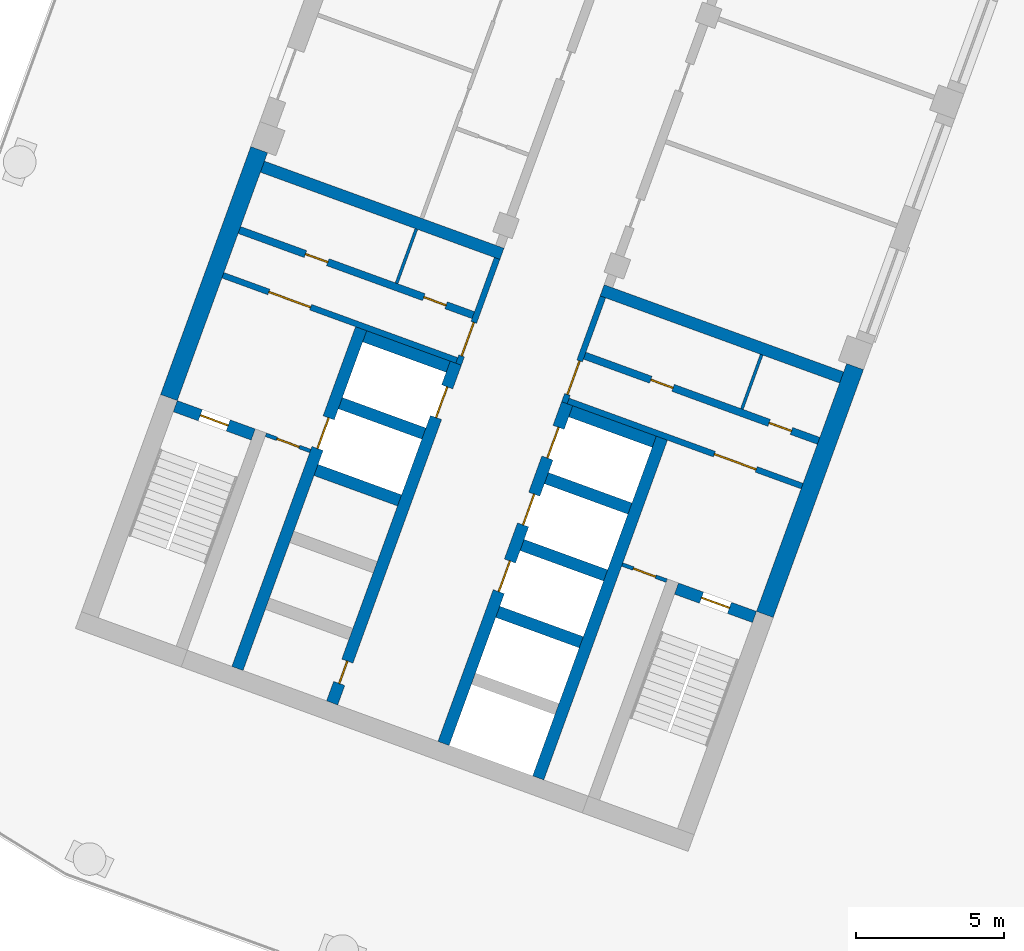
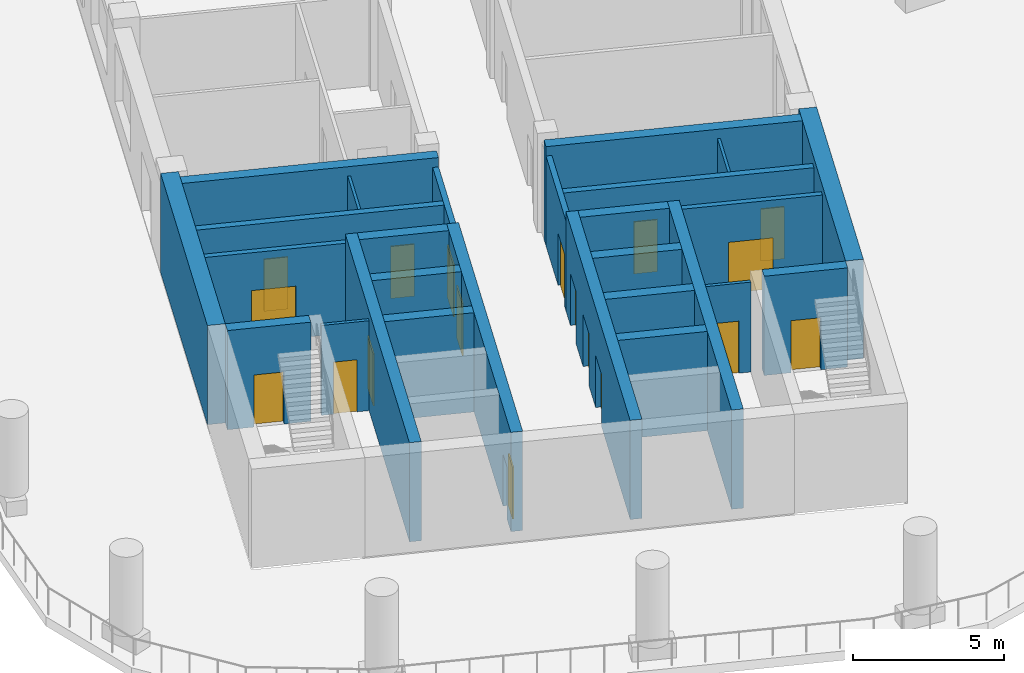
# One storey, part 3 of 18: 27 walls, 18 doors, 18 openings.
"""IFC4 building model written with IfcOpenShell, lengths in metres."""

from ifc_helpers import new_model, si_unit, direction, frame, frame_2d, origin, place, context, subcontext, project, spatial, rectangle, extrude, material, layer, layer_set, type_object, element, fill, save


model = new_model("IFC4")

# Units and contexts
model_context = context("Model", 3, precision=1e-05, world=origin(), true_north=direction((0.0, 1.0)))
body_context = subcontext(model_context, "Body", "Model", "MODEL_VIEW")
ifc_project = project(units=[si_unit("LENGTHUNIT", "METRE"), si_unit("AREAUNIT", "SQUARE_METRE"), si_unit("VOLUMEUNIT", "CUBIC_METRE"), si_unit("PLANEANGLEUNIT", "RADIAN"), si_unit("MASSUNIT", "GRAM", prefix="KILO")], contexts=[model_context])

# Site, building, storey
site_placement = place(None, origin())
site = spatial("IfcSite", under=ifc_project, at=site_placement, CompositionType="ELEMENT")
building_placement = place(site_placement, origin())
building = spatial("IfcBuilding", under=site, at=building_placement, Name="Skarvind Civic Tower", CompositionType="ELEMENT")
storey_placement = place(building_placement, frame((0.0, 0.0, 27.5)))
storey = spatial("IfcBuildingStorey", under=building, at=storey_placement, Name="L05", CompositionType="ELEMENT", Elevation=27.5)

# Wall, opening, door
ifc_material_1 = material(Name="Fire-rated masonry partition", Category="masonry")
ifc_layer_1 = layer(ifc_material_1, 0.199951171875)
ifc_layer_set_1 = layer_set([ifc_layer_1], Name="Core enclosure wall 200")
wall_type_1 = type_object("IfcWallType", Name="Core enclosure wall 200", PredefinedType="PARTITIONING", material=ifc_layer_set_1)
wall_1_placement = place(storey_placement, frame((31.491455078125, 93.693359375, 0.0), z_axis=(0.0, 0.0, 1.0), x_axis=(0.341995824804, 0.939701471648, 0.0)))
wall_1 = element("IfcWall", 1, at=wall_1_placement, inside=storey, type_object=wall_type_1, Name="Core wall C2", PredefinedType="PARTITIONING", context=body_context, shape_type="SweptSolid", body=[
    extrude(rectangle(XDim=3.800048828125, YDim=0.199951171875, at=frame_2d((1.89990234375, 0.0))), origin(), (0.0, 0.0, 1.0), 3.625),
])
opening_1_placement = place(wall_1_placement, frame((0.300048828125, 0.0, 0.0)))
opening_1 = element("IfcOpeningElement", 2, at=opening_1_placement, cuts=wall_1, Name="Opening D-L05-C2-06", PredefinedType="OPENING", context=body_context, shape_type="SweptSolid", body=[
    extrude(rectangle(XDim=1.199951171875, YDim=2.10009765625, at=frame_2d((0.60009765625, 1.050048828125))), frame((0.0, 0.10986328125, 0.0), z_axis=(0.0, -1.0, 0.0), x_axis=(1.0, 0.0, 0.0)), (0.0, 0.0, 1.0), 0.219970703125),
])
ifc_material_2 = material(Name="Fire-rated steel door", Category="steel")
door_type_1 = type_object("IfcDoorType", Name="Core lobby door 1200", OperationType="NOTDEFINED", PredefinedType="DOOR", material=ifc_material_2)
door_1_placement = place(opening_1_placement, origin())
door_1 = element("IfcDoor", 3, at=door_1_placement, inside=storey, type_object=door_type_1, Name="Fire door", OperationType="DOUBLE_DOOR_SINGLE_SWING", OverallHeight=2.10009765625, OverallWidth=1.199951171875, PredefinedType="DOOR", context=body_context, shape_type="SweptSolid", body=[
    extrude(rectangle(XDim=1.199951171875, YDim=2.10009765625, at=frame_2d((0.60009765625, 1.050048828125))), frame((0.0, 0.02490234375, 0.0), z_axis=(0.0, -1.0, 0.0), x_axis=(1.0, 0.0, 0.0)), (0.0, 0.0, 1.0), 0.050048828125),
])
fill(opening_1, door_1)

wall_2_placement = place(storey_placement, frame((23.5380859375, 96.6943359375, 0.0), z_axis=(0.0, 0.0, 1.0), x_axis=(0.939691552312, -0.342023078919, 0.0)))
wall_2 = element("IfcWall", 4, at=wall_2_placement, inside=storey, type_object=wall_type_1, Name="Core wall C2", PredefinedType="PARTITIONING", context=body_context, shape_type="SweptSolid", body=[
    extrude(rectangle(XDim=8.400146484375, YDim=0.199951171875, at=frame_2d((4.2001953125, 0.0))), origin(), (0.0, 0.0, 1.0), 3.625),
])
opening_2_placement = place(wall_2_placement, frame((1.64990234375, 0.0, 0.0)))
opening_2 = element("IfcOpeningElement", 5, at=opening_2_placement, cuts=wall_2, Name="Opening D-L05-C2-07", PredefinedType="OPENING", context=body_context, shape_type="SweptSolid", body=[
    extrude(rectangle(XDim=1.5, YDim=2.10009765625, at=frame_2d((0.75, 1.050048828125))), frame((0.0, 0.10986328125, 0.0), z_axis=(0.0, -1.0, 0.0), x_axis=(1.0, 0.0, 0.0)), (0.0, 0.0, 1.0), 0.219970703125),
])
door_type_2 = type_object("IfcDoorType", Name="Fire door 1500", OperationType="NOTDEFINED", PredefinedType="DOOR", material=ifc_material_2)
door_2_placement = place(opening_2_placement, origin())
door_2 = element("IfcDoor", 6, at=door_2_placement, inside=storey, type_object=door_type_2, Name="Fire door", OperationType="DOUBLE_DOOR_SINGLE_SWING", OverallHeight=2.10009765625, OverallWidth=1.5, PredefinedType="DOOR", context=body_context, shape_type="SweptSolid", body=[
    extrude(rectangle(XDim=1.5, YDim=2.10009765625, at=frame_2d((0.75, 1.050048828125))), frame((0.0, 0.02490234375, 0.0), z_axis=(0.0, -1.0, 0.0), x_axis=(1.0, 0.0, 0.0)), (0.0, 0.0, 1.0), 0.050048828125),
])
fill(opening_2, door_2)

wall_3_placement = place(storey_placement, frame((36.36181640625, 95.96435546875, 0.0), z_axis=(0.0, 0.0, 1.0), x_axis=(-0.341995824804, -0.939701471648, 0.0)))
wall_3 = element("IfcWall", 7, at=wall_3_placement, inside=storey, type_object=wall_type_1, Name="Core wall C2", PredefinedType="PARTITIONING", context=body_context, shape_type="SweptSolid", body=[
    extrude(rectangle(XDim=3.800048828125, YDim=0.199951171875, at=frame_2d((1.89990234375, 0.0))), origin(), (0.0, 0.0, 1.0), 3.625),
])
opening_3_placement = place(wall_3_placement, frame((2.300048828125, 0.0, 0.0)))
opening_3 = element("IfcOpeningElement", 8, at=opening_3_placement, cuts=wall_3, Name="Opening D-L05-C2-12", PredefinedType="OPENING", context=body_context, shape_type="SweptSolid", body=[
    extrude(rectangle(XDim=1.199951171875, YDim=2.10009765625, at=frame_2d((0.60009765625, 1.050048828125))), frame((0.0, 0.10986328125, 0.0), z_axis=(0.0, -1.0, 0.0), x_axis=(1.0, 0.0, 0.0)), (0.0, 0.0, 1.0), 0.219970703125),
])
door_3_placement = place(opening_3_placement, origin())
door_3 = element("IfcDoor", 9, at=door_3_placement, inside=storey, type_object=door_type_1, Name="Fire door", OperationType="DOUBLE_DOOR_SINGLE_SWING", OverallHeight=2.10009765625, OverallWidth=1.199951171875, PredefinedType="DOOR", context=body_context, shape_type="SweptSolid", body=[
    extrude(rectangle(XDim=1.199951171875, YDim=2.10009765625, at=frame_2d((0.60009765625, 1.050048828125))), frame((0.0, 0.02490234375, 0.0), z_axis=(0.0, -1.0, 0.0), x_axis=(1.0, 0.0, 0.0)), (0.0, 0.0, 1.0), 0.050048828125),
])
fill(opening_3, door_3)

wall_4_placement = place(storey_placement, frame((35.1904296875, 92.453369140625, 0.0), z_axis=(0.0, 0.0, 1.0), x_axis=(0.939691552312, -0.342023078919, 0.0)))
wall_4 = element("IfcWall", 10, at=wall_4_placement, inside=storey, type_object=wall_type_1, Name="Core wall C2", PredefinedType="PARTITIONING", context=body_context, shape_type="SweptSolid", body=[
    extrude(rectangle(XDim=8.400146484375, YDim=0.199951171875, at=frame_2d((4.2001953125, 0.0))), origin(), (0.0, 0.0, 1.0), 3.625),
])
opening_4_placement = place(wall_4_placement, frame((5.25, 0.0, 0.0)))
opening_4 = element("IfcOpeningElement", 11, at=opening_4_placement, cuts=wall_4, Name="Opening D-L05-C2-13", PredefinedType="OPENING", context=body_context, shape_type="SweptSolid", body=[
    extrude(rectangle(XDim=1.5, YDim=2.10009765625, at=frame_2d((0.75, 1.050048828125))), frame((0.0, 0.10986328125, 0.0), z_axis=(0.0, -1.0, 0.0), x_axis=(1.0, 0.0, 0.0)), (0.0, 0.0, 1.0), 0.219970703125),
])
door_4_placement = place(opening_4_placement, origin())
door_4 = element("IfcDoor", 12, at=door_4_placement, inside=storey, type_object=door_type_2, Name="Fire door", OperationType="DOUBLE_DOOR_SINGLE_SWING", OverallHeight=2.10009765625, OverallWidth=1.5, PredefinedType="DOOR", context=body_context, shape_type="SweptSolid", body=[
    extrude(rectangle(XDim=1.5, YDim=2.10009765625, at=frame_2d((0.75, 1.050048828125))), frame((0.0, 0.02490234375, 0.0), z_axis=(0.0, -1.0, 0.0), x_axis=(1.0, 0.0, 0.0)), (0.0, 0.0, 1.0), 0.050048828125),
])
fill(opening_4, door_4)

# Walls
ifc_material_3 = material(Name="Fire-rated plasterboard partition")
ifc_layer_2 = layer(ifc_material_3, 0.10009765625)
ifc_layer_set_2 = layer_set([ifc_layer_2], Name="Core partition wall 100")
wall_type_2 = type_object("IfcWallType", Name="Core partition wall 100", PredefinedType="PARTITIONING", material=ifc_layer_set_2)
for number, where, z_axis, x_axis, name in (
    (13, (29.399169921875, 96.423583984375, 0.0), (0.0, 0.0, 1.0), (0.341913947243, 0.939731266204, 0.0), "Core wall C2"),
    (14, (41.71826171875, 94.014892578125, 0.0), (0.0, 0.0, 1.0), (-0.342064742067, -0.939676386973, 0.0), "Core wall C2"),
):
    element("IfcWall", number, at=place(storey_placement, frame(where, z_axis=z_axis, x_axis=x_axis)), inside=storey, type_object=wall_type_2, Name=name, PredefinedType="PARTITIONING", context=body_context, shape_type="SweptSolid", body=[
        extrude(rectangle(XDim=1.949951171875, YDim=0.10009765625, at=frame_2d((0.97509765625, 0.0))), origin(), (0.0, 0.0, 1.0), 3.625),
    ])

# Wall, opening, door
ifc_material_4 = material(Name="Concrete C80", Category="concrete")
ifc_layer_3 = layer(ifc_material_4, 0.39990234375)
ifc_layer_set_3 = layer_set([ifc_layer_3], Name="Core wall 400 C80")
wall_type_3 = type_object("IfcWallType", Name="Core wall 400 C80", PredefinedType="SHEAR", material=ifc_layer_set_3)
wall_5_placement = place(storey_placement, frame((41.476318359375, 85.163818359375, 0.0), z_axis=(0.0, 0.0, 1.0), x_axis=(-0.939678810556, 0.342058084236, 0.0)))
wall_5 = element("IfcWall", 15, at=wall_5_placement, inside=storey, type_object=wall_type_3, Name="Core wall C2 south stair end L05", PredefinedType="SHEAR", context=body_context, shape_type="SweptSolid", body=[
    extrude(rectangle(XDim=2.800048828125, YDim=0.39990234375, at=frame_2d((1.39990234375, 0.0))), origin(), (0.0, 0.0, 1.0), 4.0),
])
opening_5_placement = place(wall_5_placement, frame((0.89990234375, 0.0, 0.0)))
opening_5 = element("IfcOpeningElement", 16, at=opening_5_placement, cuts=wall_5, Name="Opening D-L05-C2-14", PredefinedType="OPENING", context=body_context, shape_type="SweptSolid", body=[
    extrude(rectangle(XDim=1.0, YDim=2.10009765625, at=frame_2d((0.5, 1.050048828125))), frame((0.0, 0.2099609375, 0.0), z_axis=(0.0, -1.0, 0.0), x_axis=(1.0, 0.0, 0.0)), (0.0, 0.0, 1.0), 0.419921875),
])
door_type_3 = type_object("IfcDoorType", Name="Fire door 1000", OperationType="NOTDEFINED", PredefinedType="DOOR", material=ifc_material_2)
door_5_placement = place(opening_5_placement, origin())
door_5 = element("IfcDoor", 17, at=door_5_placement, inside=storey, type_object=door_type_3, Name="Fire door", OperationType="SINGLE_SWING_RIGHT", OverallHeight=2.10009765625, OverallWidth=1.0, PredefinedType="DOOR", context=body_context, shape_type="SweptSolid", body=[
    extrude(rectangle(XDim=1.0, YDim=2.10009765625, at=frame_2d((0.5, 1.050048828125))), frame((0.0, 0.02490234375, 0.0), z_axis=(0.0, -1.0, 0.0), x_axis=(1.0, 0.0, 0.0)), (0.0, 0.0, 1.0), 0.050048828125),
])
fill(opening_5, door_5)

wall_6_placement = place(storey_placement, frame((24.56201171875, 91.3203125, 0.0), z_axis=(0.0, 0.0, 1.0), x_axis=(-0.939717030584, 0.341953070509, 0.0)))
wall_6 = element("IfcWall", 18, at=wall_6_placement, inside=storey, type_object=wall_type_3, Name="Core wall C2 north stair end L05", PredefinedType="SHEAR", context=body_context, shape_type="SweptSolid", body=[
    extrude(rectangle(XDim=2.800048828125, YDim=0.39990234375, at=frame_2d((1.39990234375, 0.0))), origin(), (0.0, 0.0, 1.0), 4.0),
])
opening_6_placement = place(wall_6_placement, frame((0.89990234375, 0.0, 0.0)))
opening_6 = element("IfcOpeningElement", 19, at=opening_6_placement, cuts=wall_6, Name="Opening D-L05-C2-08", PredefinedType="OPENING", context=body_context, shape_type="SweptSolid", body=[
    extrude(rectangle(XDim=1.0, YDim=2.10009765625, at=frame_2d((0.5, 1.050048828125))), frame((0.0, 0.2099609375, 0.0), z_axis=(0.0, -1.0, 0.0), x_axis=(1.0, 0.0, 0.0)), (0.0, 0.0, 1.0), 0.419921875),
])
door_6_placement = place(opening_6_placement, origin())
door_6 = element("IfcDoor", 20, at=door_6_placement, inside=storey, type_object=door_type_3, Name="Fire door", OperationType="SINGLE_SWING_LEFT", OverallHeight=2.10009765625, OverallWidth=1.0, PredefinedType="DOOR", context=body_context, shape_type="SweptSolid", body=[
    extrude(rectangle(XDim=1.0, YDim=2.10009765625, at=frame_2d((0.5, 1.050048828125))), frame((0.0, 0.02490234375, 0.0), z_axis=(0.0, -1.0, 0.0), x_axis=(1.0, 0.0, 0.0)), (0.0, 0.0, 1.0), 0.050048828125),
])
fill(opening_6, door_6)

# Wall, openings, doors
wall_7_placement = place(storey_placement, frame((30.983642578125, 80.895263671875, 0.0), z_axis=(0.0, 0.0, 1.0), x_axis=(0.342021021735, 0.939692301071, 0.0)))
wall_7 = element("IfcWall", 21, at=wall_7_placement, inside=storey, type_object=wall_type_3, Name="Core wall C2 south lift row front L05", PredefinedType="SHEAR", context=body_context, shape_type="SweptSolid", body=[
    extrude(rectangle(XDim=12.199951171875, YDim=0.39990234375, at=frame_2d((6.10009765625, 0.0))), origin(), (0.0, 0.0, 1.0), 4.0),
])
opening_7_placement = place(wall_7_placement, frame((5.449951171875, 0.0, 0.0)))
opening_7 = element("IfcOpeningElement", 22, at=opening_7_placement, cuts=wall_7, Name="Opening LD07208", PredefinedType="OPENING", context=body_context, shape_type="SweptSolid", body=[
    extrude(rectangle(XDim=1.10009765625, YDim=2.10009765625, at=frame_2d((0.550048828125, 1.050048828125))), frame((0.0, 0.2099609375, 0.0), z_axis=(0.0, -1.0, 0.0), x_axis=(1.0, 0.0, 0.0)), (0.0, 0.0, 1.0), 0.419921875),
])
opening_8_placement = place(wall_7_placement, frame((7.85009765625, 0.0, 0.0)))
opening_8 = element("IfcOpeningElement", 23, at=opening_8_placement, cuts=wall_7, Name="Opening LD07209", PredefinedType="OPENING", context=body_context, shape_type="SweptSolid", body=[
    extrude(rectangle(XDim=1.10009765625, YDim=2.10009765625, at=frame_2d((0.550048828125, 1.050048828125))), frame((0.0, 0.2099609375, 0.0), z_axis=(0.0, -1.0, 0.0), x_axis=(1.0, 0.0, 0.0)), (0.0, 0.0, 1.0), 0.419921875),
])
opening_9_placement = place(wall_7_placement, frame((10.25, 0.0, 0.0)))
opening_9 = element("IfcOpeningElement", 24, at=opening_9_placement, cuts=wall_7, Name="Opening LD07210", PredefinedType="OPENING", context=body_context, shape_type="SweptSolid", body=[
    extrude(rectangle(XDim=1.10009765625, YDim=2.10009765625, at=frame_2d((0.550048828125, 1.050048828125))), frame((0.0, 0.2099609375, 0.0), z_axis=(0.0, -1.0, 0.0), x_axis=(1.0, 0.0, 0.0)), (0.0, 0.0, 1.0), 0.419921875),
])
ifc_material_5 = material(Name="Stainless steel landing door", Category="steel")
door_type_4 = type_object("IfcDoorType", Name="Lift landing door 1100", OperationType="DOUBLE_DOOR_SLIDING", PredefinedType="DOOR", material=ifc_material_5)
door_7_placement = place(opening_7_placement, origin())
door_7 = element("IfcDoor", 25, at=door_7_placement, inside=storey, type_object=door_type_4, Name="Lift landing door", OperationType="DOUBLE_DOOR_SLIDING", OverallHeight=2.10009765625, OverallWidth=1.10009765625, PredefinedType="DOOR", context=body_context, shape_type="SweptSolid", body=[
    extrude(rectangle(XDim=1.10009765625, YDim=2.10009765625, at=frame_2d((0.550048828125, 1.050048828125))), frame((0.0, 0.02490234375, 0.0), z_axis=(0.0, -1.0, 0.0), x_axis=(1.0, 0.0, 0.0)), (0.0, 0.0, 1.0), 0.050048828125),
])
fill(opening_7, door_7)
door_8_placement = place(opening_8_placement, origin())
door_8 = element("IfcDoor", 26, at=door_8_placement, inside=storey, type_object=door_type_4, Name="Lift landing door", OperationType="DOUBLE_DOOR_SLIDING", OverallHeight=2.10009765625, OverallWidth=1.10009765625, PredefinedType="DOOR", context=body_context, shape_type="SweptSolid", body=[
    extrude(rectangle(XDim=1.10009765625, YDim=2.10009765625, at=frame_2d((0.550048828125, 1.050048828125))), frame((0.0, 0.02490234375, 0.0), z_axis=(0.0, -1.0, 0.0), x_axis=(1.0, 0.0, 0.0)), (0.0, 0.0, 1.0), 0.050048828125),
])
fill(opening_8, door_8)
door_9_placement = place(opening_9_placement, origin())
door_9 = element("IfcDoor", 27, at=door_9_placement, inside=storey, type_object=door_type_4, Name="Lift landing door", OperationType="DOUBLE_DOOR_SLIDING", OverallHeight=2.10009765625, OverallWidth=1.10009765625, PredefinedType="DOOR", context=body_context, shape_type="SweptSolid", body=[
    extrude(rectangle(XDim=1.10009765625, YDim=2.10009765625, at=frame_2d((0.550048828125, 1.050048828125))), frame((0.0, 0.02490234375, 0.0), z_axis=(0.0, -1.0, 0.0), x_axis=(1.0, 0.0, 0.0)), (0.0, 0.0, 1.0), 0.050048828125),
])
fill(opening_9, door_9)

# Walls
wall_8_placement = place(storey_placement, frame((34.178466796875, 79.732177734375, 0.0), z_axis=(0.0, 0.0, 1.0), x_axis=(0.342014590177, 0.939694641948, 0.0)))
element("IfcWall", 28, at=wall_8_placement, inside=storey, type_object=wall_type_3, Name="Core wall C2 south lift row back L05", PredefinedType="SHEAR", context=body_context, shape_type="SweptSolid", body=[
    extrude(rectangle(XDim=12.2001953125, YDim=0.39990234375, at=frame_2d((6.10009765625, 0.0))), origin(), (0.0, 0.0, 1.0), 4.0),
])
for number, where, z_axis, x_axis, name in (
    (29, (35.63232421875, 84.311279296875, 0.0), (0.0, 0.0, 1.0), (-0.939712609717, 0.341965219194, 0.0), "Core wall C2 south lift row division 2 L05"),
    (30, (36.453125, 86.56640625, 0.0), (0.0, 0.0, 1.0), (-0.939686455819, 0.342037080957, 0.0), "Core wall C2 south lift row division 3 L05"),
    (31, (37.27392578125, 88.82177734375, 0.0), (0.0, 0.0, 1.0), (-0.939686455819, 0.342037080957, 0.0), "Core wall C2 south lift row division 4 L05"),
):
    element("IfcWall", number, at=place(storey_placement, frame(where, z_axis=z_axis, x_axis=x_axis)), inside=storey, type_object=wall_type_3, Name=name, PredefinedType="SHEAR", context=body_context, shape_type="SweptSolid", body=[
        extrude(rectangle(XDim=3.0, YDim=0.39990234375, at=frame_2d((1.5, 0.0))), origin(), (0.0, 0.0, 1.0), 4.0),
    ])
wall_9_placement = place(storey_placement, frame((38.0947265625, 91.076904296875, 0.0), z_axis=(0.0, 0.0, 1.0), x_axis=(-0.939676934218, 0.342063238742, 0.0)))
element("IfcWall", 32, at=wall_9_placement, inside=storey, type_object=wall_type_3, Name="Core wall C2 south lift row division 5 L05", PredefinedType="SHEAR", context=body_context, shape_type="SweptSolid", body=[
    extrude(rectangle(XDim=2.999755859375, YDim=0.39990234375, at=frame_2d((1.5, 0.0))), origin(), (0.0, 0.0, 1.0), 4.0),
])

# Wall, openings, doors
wall_10_placement = place(storey_placement, frame((27.224853515625, 82.26318359375, 0.0), z_axis=(0.0, 0.0, 1.0), x_axis=(0.342014590177, 0.939694641948, 0.0)))
wall_10 = element("IfcWall", 33, at=wall_10_placement, inside=storey, type_object=wall_type_3, Name="Core wall C2 north lift row front L05", PredefinedType="SHEAR", context=body_context, shape_type="SweptSolid", body=[
    extrude(rectangle(XDim=12.2001953125, YDim=0.39990234375, at=frame_2d((6.10009765625, 0.0))), origin(), (0.0, 0.0, 1.0), 4.0),
])
opening_10_placement = place(wall_10_placement, frame((10.25, 0.0, 0.0)))
opening_10 = element("IfcOpeningElement", 34, at=opening_10_placement, cuts=wall_10, Name="Opening LD07205", PredefinedType="OPENING", context=body_context, shape_type="SweptSolid", body=[
    extrude(rectangle(XDim=1.10009765625, YDim=2.10009765625, at=frame_2d((0.550048828125, 1.050048828125))), frame((0.0, 0.2099609375, 0.0), z_axis=(0.0, -1.0, 0.0), x_axis=(1.0, 0.0, 0.0)), (0.0, 0.0, 1.0), 0.419921875),
])
opening_11_placement = place(wall_10_placement, frame((0.699951171875, 0.0, 0.0)))
opening_11 = element("IfcOpeningElement", 35, at=opening_11_placement, cuts=wall_10, Name="Opening D-L05-C2-05", PredefinedType="OPENING", context=body_context, shape_type="SweptSolid", body=[
    extrude(rectangle(XDim=0.800048828125, YDim=2.10009765625, at=frame_2d((0.39990234375, 1.050048828125))), frame((0.0, 0.2099609375, 0.0), z_axis=(0.0, -1.0, 0.0), x_axis=(1.0, 0.0, 0.0)), (0.0, 0.0, 1.0), 0.419921875),
])
door_type_5 = type_object("IfcDoorType", Name="Core riser door 800", OperationType="NOTDEFINED", PredefinedType="DOOR", material=ifc_material_2)
door_10_placement = place(opening_11_placement, origin())
door_10 = element("IfcDoor", 36, at=door_10_placement, inside=storey, type_object=door_type_5, Name="Riser door", OperationType="SINGLE_SWING_LEFT", OverallHeight=2.10009765625, OverallWidth=0.800048828125, PredefinedType="DOOR", context=body_context, shape_type="SweptSolid", body=[
    extrude(rectangle(XDim=0.800048828125, YDim=2.10009765625, at=frame_2d((0.39990234375, 1.050048828125))), frame((0.0, 0.02490234375, 0.0), z_axis=(0.0, -1.0, 0.0), x_axis=(1.0, 0.0, 0.0)), (0.0, 0.0, 1.0), 0.050048828125),
])
fill(opening_11, door_10)
door_11_placement = place(opening_10_placement, origin())
door_11 = element("IfcDoor", 37, at=door_11_placement, inside=storey, type_object=door_type_4, Name="Lift landing door", OperationType="DOUBLE_DOOR_SLIDING", OverallHeight=2.10009765625, OverallWidth=1.10009765625, PredefinedType="DOOR", context=body_context, shape_type="SweptSolid", body=[
    extrude(rectangle(XDim=1.10009765625, YDim=2.10009765625, at=frame_2d((0.550048828125, 1.050048828125))), frame((0.0, 0.02490234375, 0.0), z_axis=(0.0, -1.0, 0.0), x_axis=(1.0, 0.0, 0.0)), (0.0, 0.0, 1.0), 0.050048828125),
])
fill(opening_10, door_11)

# Wall, opening, door
wall_11_placement = place(storey_placement, frame((24.02978515625, 83.426025390625, 0.0), z_axis=(0.0, 0.0, 1.0), x_axis=(0.342014590177, 0.939694641948, 0.0)))
wall_11 = element("IfcWall", 38, at=wall_11_placement, inside=storey, type_object=wall_type_3, Name="Core wall C2 north lift row back L05", PredefinedType="SHEAR", context=body_context, shape_type="SweptSolid", body=[
    extrude(rectangle(XDim=12.2001953125, YDim=0.39990234375, at=frame_2d((6.10009765625, 0.0))), origin(), (0.0, 0.0, 1.0), 4.0),
])
opening_12_placement = place(wall_11_placement, frame((7.89990234375, 0.0, 0.0)))
opening_12 = element("IfcOpeningElement", 39, at=opening_12_placement, cuts=wall_11, Name="Opening LD07204", PredefinedType="OPENING", context=body_context, shape_type="SweptSolid", body=[
    extrude(rectangle(XDim=1.10009765625, YDim=2.10009765625, at=frame_2d((0.550048828125, 1.050048828125))), frame((0.0, 0.2099609375, 0.0), z_axis=(0.0, -1.0, 0.0), x_axis=(1.0, 0.0, 0.0)), (0.0, 0.0, 1.0), 0.419921875),
])
door_12_placement = place(opening_12_placement, origin())
door_12 = element("IfcDoor", 40, at=door_12_placement, inside=storey, type_object=door_type_4, Name="Lift landing door", OperationType="DOUBLE_DOOR_SLIDING", OverallHeight=2.10009765625, OverallWidth=1.10009765625, PredefinedType="DOOR", context=body_context, shape_type="SweptSolid", body=[
    extrude(rectangle(XDim=1.10009765625, YDim=2.10009765625, at=frame_2d((0.550048828125, 1.050048828125))), frame((0.0, 0.02490234375, 0.0), z_axis=(0.0, -1.0, 0.0), x_axis=(1.0, 0.0, 0.0)), (0.0, 0.0, 1.0), 0.050048828125),
])
fill(opening_12, door_12)

# Walls
for number, where, z_axis, x_axis, name in (
    (41, (29.49951171875, 89.097412109375, 0.0), (0.0, 0.0, 1.0), (-0.939686455819, 0.342037080957, 0.0), "Core wall C2 north lift row division 3 L05"),
    (42, (30.3203125, 91.352783203125, 0.0), (0.0, 0.0, 1.0), (-0.939712609717, 0.341965219194, 0.0), "Core wall C2 north lift row division 4 L05"),
    (43, (31.14111328125, 93.60791015625, 0.0), (0.0, 0.0, 1.0), (-0.939686455819, 0.342037080957, 0.0), "Core wall C2 north lift row division 5 L05"),
):
    element("IfcWall", number, at=place(storey_placement, frame(where, z_axis=z_axis, x_axis=x_axis)), inside=storey, type_object=wall_type_3, Name=name, PredefinedType="SHEAR", context=body_context, shape_type="SweptSolid", body=[
        extrude(rectangle(XDim=3.0, YDim=0.39990234375, at=frame_2d((1.5, 0.0))), origin(), (0.0, 0.0, 1.0), 4.0),
    ])
for number, where, z_axis, x_axis, name in (
    (44, (44.417724609375, 93.2451171875, 0.0), (0.0, 0.0, 1.0), (-0.93969060187, 0.342025690201, 0.0), "Core wall C2 south inner face L05"),
    (45, (32.953369140625, 97.417724609375, 0.0), (0.0, 0.0, 1.0), (-0.93969060187, 0.342025690201, 0.0), "Core wall C2 north inner face L05"),
):
    element("IfcWall", number, at=place(storey_placement, frame(where, z_axis=z_axis, x_axis=x_axis)), inside=storey, type_object=wall_type_3, Name=name, PredefinedType="SHEAR", context=body_context, shape_type="SweptSolid", body=[
        extrude(rectangle(XDim=8.599853515625, YDim=0.39990234375, at=frame_2d((4.2998046875, 0.0))), origin(), (0.0, 0.0, 1.0), 4.0),
    ])
ifc_layer_4 = layer(ifc_material_4, 0.60009765625)
ifc_layer_set_4 = layer_set([ifc_layer_4], Name="Core wall 600 C80")
wall_type_4 = type_object("IfcWallType", Name="Core wall 600 C80", PredefinedType="SHEAR", material=ifc_layer_set_4)
for number, where, z_axis, x_axis, name in (
    (46, (41.82666015625, 85.249267578125, 0.0), (0.0, 0.0, 1.0), (0.342016162452, 0.939694069696, 0.0), "Core wall C2 south side L05"),
    (47, (21.71728515625, 92.568359375, 0.0), (0.0, 0.0, 1.0), (0.342016162452, 0.939694069696, 0.0), "Core wall C2 north side L05"),
):
    element("IfcWall", number, at=place(storey_placement, frame(where, z_axis=z_axis, x_axis=x_axis)), inside=storey, type_object=wall_type_4, Name=name, PredefinedType="SHEAR", context=body_context, shape_type="SweptSolid", body=[
        extrude(rectangle(XDim=8.89990234375, YDim=0.60009765625, at=frame_2d((4.449951171875, 0.0))), origin(), (0.0, 0.0, 1.0), 4.0),
    ])

# Wall, opening, door
ifc_layer_5 = layer(ifc_material_1, 0.125)
ifc_layer_set_5 = layer_set([ifc_layer_5], Name="Riser wall 125")
wall_type_5 = type_object("IfcWallType", Name="Riser wall 125", PredefinedType="PARTITIONING", material=ifc_layer_set_5)
wall_12_placement = place(storey_placement, frame((24.98486328125, 91.3125, 0.0), z_axis=(0.0, 0.0, 1.0), x_axis=(0.939708740826, -0.341975850632, 0.0)))
wall_12 = element("IfcWall", 48, at=wall_12_placement, inside=storey, type_object=wall_type_5, Name="Core wall C2", PredefinedType="PARTITIONING", context=body_context, shape_type="SweptSolid", body=[
    extrude(rectangle(XDim=1.599853515625, YDim=0.125, at=frame_2d((0.7998046875, 0.0))), origin(), (0.0, 0.0, 1.0), 3.625),
])
opening_13_placement = place(wall_12_placement, frame((0.39990234375, 0.0, 0.0)))
opening_13 = element("IfcOpeningElement", 49, at=opening_13_placement, cuts=wall_12, Name="Opening D-L05-C2-09", PredefinedType="OPENING", context=body_context, shape_type="SweptSolid", body=[
    extrude(rectangle(XDim=0.800048828125, YDim=2.10009765625, at=frame_2d((0.39990234375, 1.050048828125))), frame((0.0, 0.072509765625, 0.0), z_axis=(0.0, -1.0, 0.0), x_axis=(1.0, 0.0, 0.0)), (0.0, 0.0, 1.0), 0.14501953125),
])
door_13_placement = place(opening_13_placement, origin())
door_13 = element("IfcDoor", 50, at=door_13_placement, inside=storey, type_object=door_type_5, Name="Riser door", OperationType="SINGLE_SWING_RIGHT", OverallHeight=2.10009765625, OverallWidth=0.800048828125, PredefinedType="DOOR", context=body_context, shape_type="SweptSolid", body=[
    extrude(rectangle(XDim=0.800048828125, YDim=2.10009765625, at=frame_2d((0.39990234375, 1.050048828125))), frame((0.0, 0.02490234375, 0.0), z_axis=(0.0, -1.0, 0.0), x_axis=(1.0, 0.0, 0.0)), (0.0, 0.0, 1.0), 0.050048828125),
])
fill(opening_13, door_13)

wall_13_placement = place(storey_placement, frame((37.012939453125, 86.934814453125, 0.0), z_axis=(0.0, 0.0, 1.0), x_axis=(0.939659694648, -0.342110593602, 0.0)))
wall_13 = element("IfcWall", 51, at=wall_13_placement, inside=storey, type_object=wall_type_5, Name="Core wall C2", PredefinedType="PARTITIONING", context=body_context, shape_type="SweptSolid", body=[
    extrude(rectangle(XDim=1.599853515625, YDim=0.125, at=frame_2d((0.7998046875, 0.0))), origin(), (0.0, 0.0, 1.0), 3.625),
])
opening_14_placement = place(wall_13_placement, frame((0.39990234375, 0.0, 0.0)))
opening_14 = element("IfcOpeningElement", 52, at=opening_14_placement, cuts=wall_13, Name="Opening D-L05-C2-15", PredefinedType="OPENING", context=body_context, shape_type="SweptSolid", body=[
    extrude(rectangle(XDim=0.800048828125, YDim=2.10009765625, at=frame_2d((0.39990234375, 1.050048828125))), frame((0.0, 0.072509765625, 0.0), z_axis=(0.0, -1.0, 0.0), x_axis=(1.0, 0.0, 0.0)), (0.0, 0.0, 1.0), 0.14501953125),
])
door_14_placement = place(opening_14_placement, origin())
door_14 = element("IfcDoor", 53, at=door_14_placement, inside=storey, type_object=door_type_5, Name="Riser door", OperationType="SINGLE_SWING_LEFT", OverallHeight=2.10009765625, OverallWidth=0.800048828125, PredefinedType="DOOR", context=body_context, shape_type="SweptSolid", body=[
    extrude(rectangle(XDim=0.800048828125, YDim=2.10009765625, at=frame_2d((0.39990234375, 1.050048828125))), frame((0.0, 0.02490234375, 0.0), z_axis=(0.0, -1.0, 0.0), x_axis=(1.0, 0.0, 0.0)), (0.0, 0.0, 1.0), 0.050048828125),
])
fill(opening_14, door_14)

# Wall, openings, doors
ifc_layer_6 = layer(ifc_material_1, 0.25)
ifc_layer_set_6 = layer_set([ifc_layer_6], Name="Service block wall 250")
wall_type_6 = type_object("IfcWallType", Name="Service block wall 250", PredefinedType="PARTITIONING", material=ifc_layer_set_6)
wall_14_placement = place(storey_placement, frame((24.093994140625, 98.221435546875, 0.0), z_axis=(0.0, 0.0, 1.0), x_axis=(0.939691552312, -0.342023078919, 0.0)))
wall_14 = element("IfcWall", 54, at=wall_14_placement, inside=storey, type_object=wall_type_6, Name="Core wall C2", PredefinedType="PARTITIONING", context=body_context, shape_type="SweptSolid", body=[
    extrude(rectangle(XDim=8.400146484375, YDim=0.25, at=frame_2d((4.2001953125, 0.0))), origin(), (0.0, 0.0, 1.0), 3.625),
])
opening_15_placement = place(wall_14_placement, frame((6.625, 0.0, 0.0)))
opening_15 = element("IfcOpeningElement", 55, at=opening_15_placement, cuts=wall_14, Name="Opening D-L05-C2-10", PredefinedType="OPENING", context=body_context, shape_type="SweptSolid", body=[
    extrude(rectangle(XDim=0.800048828125, YDim=2.10009765625, at=frame_2d((0.39990234375, 1.050048828125))), frame((0.0, 0.135009765625, 0.0), z_axis=(0.0, -1.0, 0.0), x_axis=(1.0, 0.0, 0.0)), (0.0, 0.0, 1.0), 0.27001953125),
])
opening_16_placement = place(wall_14_placement, frame((2.375, 0.0, 0.0)))
opening_16 = element("IfcOpeningElement", 56, at=opening_16_placement, cuts=wall_14, Name="Opening D-L05-C2-11", PredefinedType="OPENING", context=body_context, shape_type="SweptSolid", body=[
    extrude(rectangle(XDim=0.800048828125, YDim=2.10009765625, at=frame_2d((0.39990234375, 1.050048828125))), frame((0.0, 0.135009765625, 0.0), z_axis=(0.0, -1.0, 0.0), x_axis=(1.0, 0.0, 0.0)), (0.0, 0.0, 1.0), 0.27001953125),
])
door_15_placement = place(opening_15_placement, origin())
door_15 = element("IfcDoor", 57, at=door_15_placement, inside=storey, type_object=door_type_5, Name="Riser door", OperationType="SINGLE_SWING_LEFT", OverallHeight=2.10009765625, OverallWidth=0.800048828125, PredefinedType="DOOR", context=body_context, shape_type="SweptSolid", body=[
    extrude(rectangle(XDim=0.800048828125, YDim=2.10009765625, at=frame_2d((0.39990234375, 1.050048828125))), frame((0.0, 0.02490234375, 0.0), z_axis=(0.0, -1.0, 0.0), x_axis=(1.0, 0.0, 0.0)), (0.0, 0.0, 1.0), 0.050048828125),
])
fill(opening_15, door_15)
door_16_placement = place(opening_16_placement, origin())
door_16 = element("IfcDoor", 58, at=door_16_placement, inside=storey, type_object=door_type_5, Name="Riser door", OperationType="SINGLE_SWING_RIGHT", OverallHeight=2.10009765625, OverallWidth=0.800048828125, PredefinedType="DOOR", context=body_context, shape_type="SweptSolid", body=[
    extrude(rectangle(XDim=0.800048828125, YDim=2.10009765625, at=frame_2d((0.39990234375, 1.050048828125))), frame((0.0, 0.02490234375, 0.0), z_axis=(0.0, -1.0, 0.0), x_axis=(1.0, 0.0, 0.0)), (0.0, 0.0, 1.0), 0.050048828125),
])
fill(opening_16, door_16)

wall_15_placement = place(storey_placement, frame((35.74609375, 93.98046875, 0.0), z_axis=(0.0, 0.0, 1.0), x_axis=(0.939691552312, -0.342023078919, 0.0)))
wall_15 = element("IfcWall", 59, at=wall_15_placement, inside=storey, type_object=wall_type_6, Name="Core wall C2", PredefinedType="PARTITIONING", context=body_context, shape_type="SweptSolid", body=[
    extrude(rectangle(XDim=8.400146484375, YDim=0.25, at=frame_2d((4.2001953125, 0.0))), origin(), (0.0, 0.0, 1.0), 3.625),
])
opening_17_placement = place(wall_15_placement, frame((2.375, 0.0, 0.0)))
opening_17 = element("IfcOpeningElement", 60, at=opening_17_placement, cuts=wall_15, Name="Opening D-L05-C2-16", PredefinedType="OPENING", context=body_context, shape_type="SweptSolid", body=[
    extrude(rectangle(XDim=0.800048828125, YDim=2.10009765625, at=frame_2d((0.39990234375, 1.050048828125))), frame((0.0, 0.135009765625, 0.0), z_axis=(0.0, -1.0, 0.0), x_axis=(1.0, 0.0, 0.0)), (0.0, 0.0, 1.0), 0.27001953125),
])
opening_18_placement = place(wall_15_placement, frame((6.625, 0.0, 0.0)))
opening_18 = element("IfcOpeningElement", 61, at=opening_18_placement, cuts=wall_15, Name="Opening D-L05-C2-17", PredefinedType="OPENING", context=body_context, shape_type="SweptSolid", body=[
    extrude(rectangle(XDim=0.800048828125, YDim=2.10009765625, at=frame_2d((0.39990234375, 1.050048828125))), frame((0.0, 0.135009765625, 0.0), z_axis=(0.0, -1.0, 0.0), x_axis=(1.0, 0.0, 0.0)), (0.0, 0.0, 1.0), 0.27001953125),
])
door_17_placement = place(opening_17_placement, origin())
door_17 = element("IfcDoor", 62, at=door_17_placement, inside=storey, type_object=door_type_5, Name="Riser door", OperationType="SINGLE_SWING_RIGHT", OverallHeight=2.10009765625, OverallWidth=0.800048828125, PredefinedType="DOOR", context=body_context, shape_type="SweptSolid", body=[
    extrude(rectangle(XDim=0.800048828125, YDim=2.10009765625, at=frame_2d((0.39990234375, 1.050048828125))), frame((0.0, 0.02490234375, 0.0), z_axis=(0.0, -1.0, 0.0), x_axis=(1.0, 0.0, 0.0)), (0.0, 0.0, 1.0), 0.050048828125),
])
fill(opening_17, door_17)
door_18_placement = place(opening_18_placement, origin())
door_18 = element("IfcDoor", 63, at=door_18_placement, inside=storey, type_object=door_type_5, Name="Riser door", OperationType="SINGLE_SWING_LEFT", OverallHeight=2.10009765625, OverallWidth=0.800048828125, PredefinedType="DOOR", context=body_context, shape_type="SweptSolid", body=[
    extrude(rectangle(XDim=0.800048828125, YDim=2.10009765625, at=frame_2d((0.39990234375, 1.050048828125))), frame((0.0, 0.02490234375, 0.0), z_axis=(0.0, -1.0, 0.0), x_axis=(1.0, 0.0, 0.0)), (0.0, 0.0, 1.0), 0.050048828125),
])
fill(opening_18, door_18)

save(model, "model.ifc")
